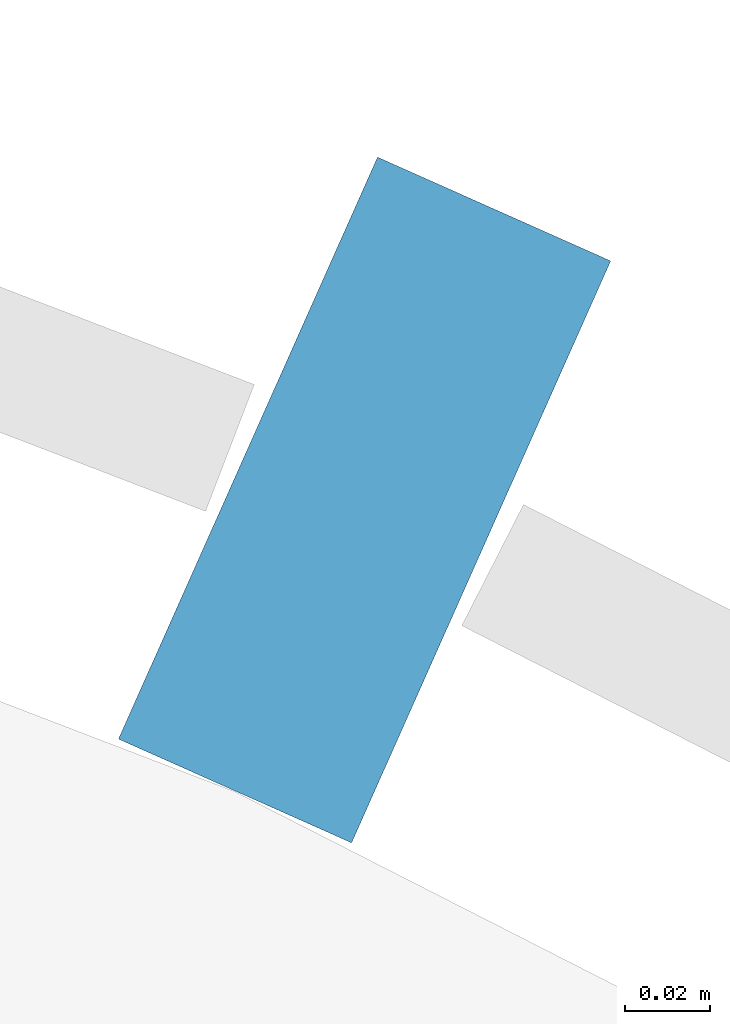
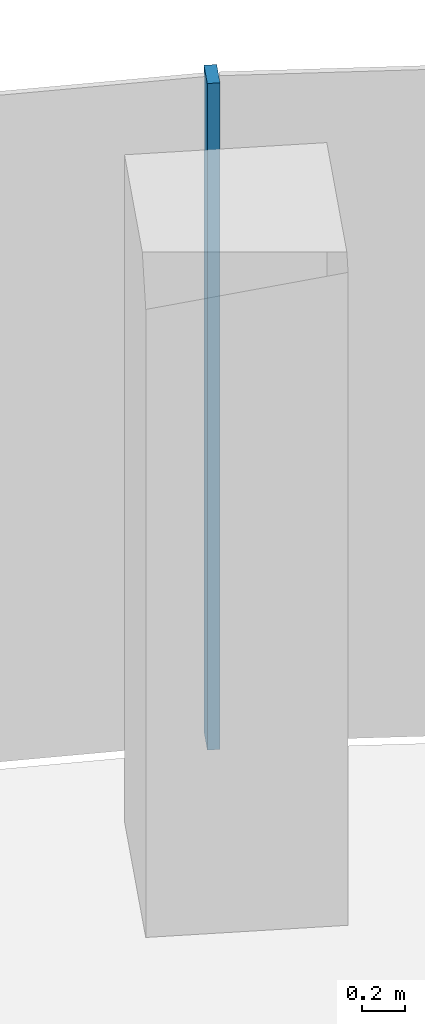
# One storey, part 9 of 19: 1 member, 1 element without a shape of its own.
"""IFC4 building model written with IfcOpenShell, lengths in metres."""

from ifc_helpers import new_model, si_unit, direction, frame, origin, origin_2d, place, context, subcontext, project, spatial, rectangle, extrude, material, layer, layer_set, material_profile, profile_set, type_object, element, aggregate, save


model = new_model("IFC4")

# Units and contexts
model_context = context("Model", 3, precision=1e-05, world=origin(), true_north=direction((0.0, 1.0)))
body_context = subcontext(model_context, "Body", "Model", "MODEL_VIEW")
ifc_project = project(units=[si_unit("LENGTHUNIT", "METRE"), si_unit("AREAUNIT", "SQUARE_METRE"), si_unit("VOLUMEUNIT", "CUBIC_METRE"), si_unit("PLANEANGLEUNIT", "RADIAN"), si_unit("MASSUNIT", "GRAM", prefix="KILO")], contexts=[model_context])

# Site, building, storey
site_placement = place(None, origin())
site = spatial("IfcSite", under=ifc_project, at=site_placement, CompositionType="ELEMENT")
building_placement = place(site_placement, origin())
building = spatial("IfcBuilding", under=site, at=building_placement, Name="Stone Belt Terrace Tower", CompositionType="ELEMENT")
storey_placement = place(building_placement, frame((0.0, 0.0, 227.60009765625)))
storey = spatial("IfcBuildingStorey", under=building, at=storey_placement, Name="L55", CompositionType="ELEMENT", Elevation=227.60009765625)

# Curtain wall, member
ifc_material = material(Name="Aluminium 6063-T6 anodised frame", Category="aluminium")
ifc_layer = layer(ifc_material, 0.14990234375)
ifc_layer_set = layer_set([ifc_layer], Name="CW-A unitised convex-face curtain wall")
curtain_wall_type = type_object("IfcCurtainWallType", Name="CW-A unitised convex-face curtain wall", PredefinedType="NOTDEFINED", material=ifc_layer_set)
curtain_wall_placement = place(storey_placement, origin())
curtain_wall = element("IfcCurtainWall", 1, at=curtain_wall_placement, inside=storey, type_object=curtain_wall_type, Name="CW-A convex face L55", PredefinedType="NOTDEFINED")
ifc_material_profile = material_profile(ifc_material, rectangle(XDim=0.14990234375, YDim=0.06005859375, at=origin_2d()), Name="Aluminium 6063-T6 60x150")
ifc_profile_set = profile_set([ifc_material_profile], Name="Aluminium 6063-T6 anodised frame")
member_type = type_object("IfcMemberType", Name="CW-A mullion 60 x 150", PredefinedType="MULLION", material=ifc_profile_set)
member_placement = place(storey_placement, frame((27.07861328125, 60.8193359375, 0.0), z_axis=(0.0, 0.0, 1.0), x_axis=(-0.406736643076, -0.913545457643, 0.0)))
member = element("IfcMember", 2, at=member_placement, type_object=member_type, Name="CW-A mullion 5", PredefinedType="MULLION", context=body_context, shape_type="SweptSolid", body=[
    extrude(rectangle(XDim=0.14990234375, YDim=0.06005859375, at=origin_2d()), origin(), (0.0, 0.0, 1.0), 3.7998046875),
])
aggregate(curtain_wall, [member])

save(model, "model.ifc")
